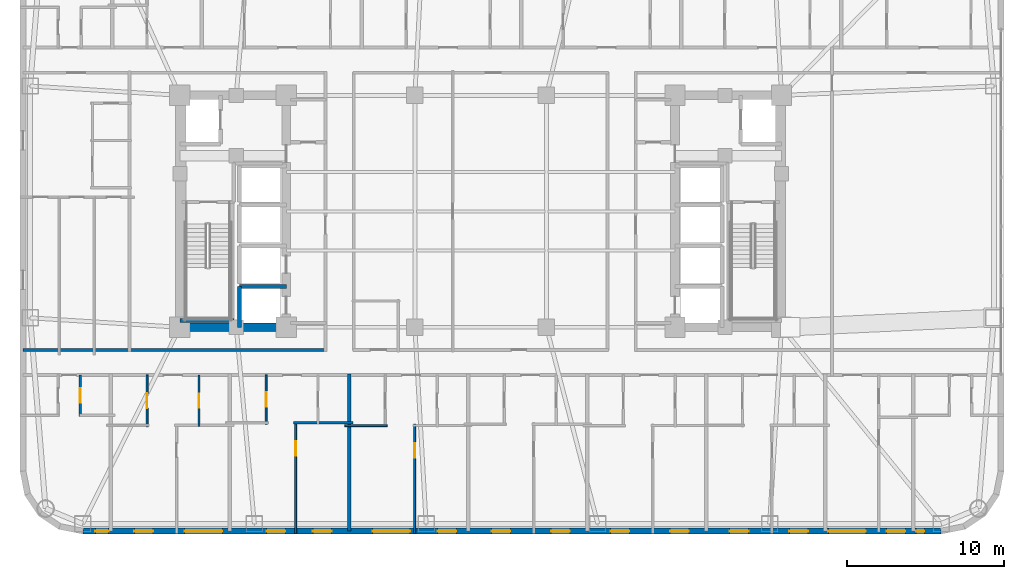
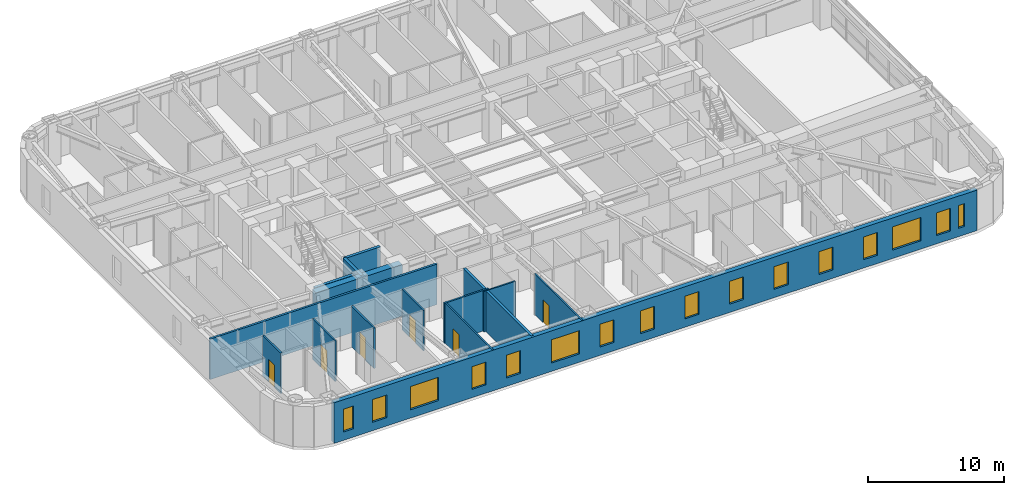
# One storey, part 7 of 16: 16 windows, 15 walls, 6 doors, 22 openings.
"""IFC4 building model written with IfcOpenShell, lengths in metres."""

from ifc_helpers import new_model, si_unit, direction, frame, frame_2d, origin, place, context, subcontext, project, spatial, rectangle, extrude, material, layer, layer_set, type_object, element, fill, save


model = new_model("IFC4")

# Units and contexts
model_context = context("Model", 3, precision=1e-05, world=origin(), true_north=direction((0.0, 1.0)))
body_context = subcontext(model_context, "Body", "Model", "MODEL_VIEW")
ifc_project = project(units=[si_unit("LENGTHUNIT", "METRE"), si_unit("AREAUNIT", "SQUARE_METRE"), si_unit("VOLUMEUNIT", "CUBIC_METRE"), si_unit("PLANEANGLEUNIT", "RADIAN"), si_unit("MASSUNIT", "GRAM", prefix="KILO")], contexts=[model_context])

# Site, building, storey
site_placement = place(None, origin())
site = spatial("IfcSite", under=ifc_project, at=site_placement, CompositionType="ELEMENT")
building_placement = place(site_placement, origin())
building = spatial("IfcBuilding", under=site, at=building_placement, Name="Voryun Gate Residences", CompositionType="ELEMENT")
storey_placement = place(building_placement, frame((0.0, 0.0, 93.60009765625)))
storey = spatial("IfcBuildingStorey", under=building, at=storey_placement, Name="L22", CompositionType="ELEMENT", Elevation=93.60009765625)

# Walls
ifc_material_1 = material(Name="Concrete C60/75", Category="concrete")
ifc_layer_1 = layer(ifc_material_1, 0.550048828125, Name="CW_CORE_550")
ifc_layer_set_1 = layer_set([ifc_layer_1], Name="Concrete C60/75")
wall_type_1 = type_object("IfcWallType", Name="CW_CORE_550", PredefinedType="SHEAR", material=ifc_layer_set_1)
wall_1_placement = place(storey_placement, frame((-19.47509765625, -7.39990234375, 0.0), z_axis=(0.0, 0.0, 1.0), x_axis=(1.0, 0.0, 0.0)))
element("IfcWall", 1, at=wall_1_placement, inside=storey, type_object=wall_type_1, Name="L22 Core shear wall CW-L22-WS", PredefinedType="SHEAR", context=body_context, shape_type="SweptSolid", body=[
    extrude(rectangle(XDim=7.35009765625, YDim=0.550048828125, at=frame_2d((3.675048828125, 0.0))), origin(), (0.0, 0.0, 1.0), 3.64990234375),
])
ifc_material_2 = material(Name="Gypsum acoustic fireboard")
ifc_layer_2 = layer(ifc_material_2, 0.179931640625, Name="W_CORR_RATED_180")
ifc_layer_set_2 = layer_set([ifc_layer_2], Name="Gypsum acoustic fireboard")
wall_type_2 = type_object("IfcWallType", Name="W_CORR_RATED_180", PredefinedType="PARTITIONING", material=ifc_layer_set_2)
wall_2_placement = place(storey_placement, frame((-29.2099609375, -8.840087890625, 0.0), z_axis=(0.0, 0.0, 1.0), x_axis=(1.0, 0.0, 0.0)))
element("IfcWall", 2, at=wall_2_placement, inside=storey, type_object=wall_type_2, Name="Partition wall WP-L22-CWING-WS", PredefinedType="PARTITIONING", context=body_context, shape_type="SweptSolid", body=[
    extrude(rectangle(XDim=19.330078125, YDim=0.179931640625, at=frame_2d((9.6650390625, 0.0))), origin(), (0.0, 0.0, 1.0), 3.64990234375),
])

# Wall, openings, windows
ifc_material_3 = material(Name="Granite masonry", Category="masonry")
ifc_layer_3 = layer(ifc_material_3, 0.3798828125, Name="W_EXT_GRANITE_380")
ifc_layer_set_3 = layer_set([ifc_layer_3], Name="Granite masonry")
wall_type_3 = type_object("IfcWallType", Name="W_EXT_GRANITE_380", PredefinedType="ELEMENTEDWALL", material=ifc_layer_set_3)
wall_3_placement = place(storey_placement, frame((29.38134765625, -20.409912109375, 0.0), z_axis=(0.0, 0.0, 1.0), x_axis=(-1.0, 0.0, 0.0)))
wall_3 = element("IfcWall", 3, at=wall_3_placement, inside=storey, type_object=wall_type_3, Name="Exterior wall WEXT-L22-01", PredefinedType="ELEMENTEDWALL", context=body_context, shape_type="SweptSolid", body=[
    extrude(rectangle(XDim=54.7626953125, YDim=0.3798828125, at=frame_2d((27.38134765625, 0.0))), origin(), (0.0, 0.0, 1.0), 3.64990234375),
])
opening_1_placement = place(wall_3_placement, frame((4.79541015625, 0.0, 0.75)))
opening_1 = element("IfcOpeningElement", 4, at=opening_1_placement, cuts=wall_3, Name="Opening WN2", PredefinedType="OPENING", context=body_context, shape_type="SweptSolid", body=[
    extrude(rectangle(XDim=2.39990234375, YDim=2.10009765625, at=frame_2d((1.199951171875, 1.050048828125))), frame((0.0, 0.199951171875, 0.0), z_axis=(0.0, -1.0, 0.0), x_axis=(1.0, 0.0, 0.0)), (0.0, 0.0, 1.0), 0.39990234375),
])
opening_2_placement = place(wall_3_placement, frame((33.876708984375, 0.0, 0.75)))
opening_2 = element("IfcOpeningElement", 5, at=opening_2_placement, cuts=wall_3, Name="Opening WN2", PredefinedType="OPENING", context=body_context, shape_type="SweptSolid", body=[
    extrude(rectangle(XDim=2.39990234375, YDim=2.10009765625, at=frame_2d((1.199951171875, 1.050048828125))), frame((0.0, 0.199951171875, 0.0), z_axis=(0.0, -1.0, 0.0), x_axis=(1.0, 0.0, 0.0)), (0.0, 0.0, 1.0), 0.39990234375),
])
opening_3_placement = place(wall_3_placement, frame((45.8671875, 0.0, 0.75)))
opening_3 = element("IfcOpeningElement", 6, at=opening_3_placement, cuts=wall_3, Name="Opening WN2", PredefinedType="OPENING", context=body_context, shape_type="SweptSolid", body=[
    extrude(rectangle(XDim=2.39990234375, YDim=2.10009765625, at=frame_2d((1.199951171875, 1.050048828125))), frame((0.0, 0.199951171875, 0.0), z_axis=(0.0, -1.0, 0.0), x_axis=(1.0, 0.0, 0.0)), (0.0, 0.0, 1.0), 0.39990234375),
])
opening_4_placement = place(wall_3_placement, frame((53.1220703125, 0.0, 0.75)))
opening_4 = element("IfcOpeningElement", 7, at=opening_4_placement, cuts=wall_3, Name="Opening WN9", PredefinedType="OPENING", context=body_context, shape_type="SweptSolid", body=[
    extrude(rectangle(XDim=0.85009765625, YDim=2.050048828125, at=frame_2d((0.425048828125, 1.02490234375))), frame((0.0, 0.199951171875, 0.0), z_axis=(0.0, -1.0, 0.0), x_axis=(1.0, 0.0, 0.0)), (0.0, 0.0, 1.0), 0.39990234375),
])
opening_5_placement = place(wall_3_placement, frame((50.286376953125, 0.0, 0.75)))
opening_5 = element("IfcOpeningElement", 8, at=opening_5_placement, cuts=wall_3, Name="Opening WN6", PredefinedType="OPENING", context=body_context, shape_type="SweptSolid", body=[
    extrude(rectangle(XDim=1.199951171875, YDim=2.050048828125, at=frame_2d((0.60009765625, 1.02490234375))), frame((0.0, 0.199951171875, 0.0), z_axis=(0.0, -1.0, 0.0), x_axis=(1.0, 0.0, 0.0)), (0.0, 0.0, 1.0), 0.39990234375),
])
opening_6_placement = place(wall_3_placement, frame((41.84619140625, 0.0, 0.75)))
opening_6 = element("IfcOpeningElement", 9, at=opening_6_placement, cuts=wall_3, Name="Opening WN6", PredefinedType="OPENING", context=body_context, shape_type="SweptSolid", body=[
    extrude(rectangle(XDim=1.199951171875, YDim=2.050048828125, at=frame_2d((0.60009765625, 1.02490234375))), frame((0.0, 0.199951171875, 0.0), z_axis=(0.0, -1.0, 0.0), x_axis=(1.0, 0.0, 0.0)), (0.0, 0.0, 1.0), 0.39990234375),
])
opening_7_placement = place(wall_3_placement, frame((38.88623046875, 0.0, 0.75)))
opening_7 = element("IfcOpeningElement", 10, at=opening_7_placement, cuts=wall_3, Name="Opening WN6", PredefinedType="OPENING", context=body_context, shape_type="SweptSolid", body=[
    extrude(rectangle(XDim=1.199951171875, YDim=2.050048828125, at=frame_2d((0.60009765625, 1.02490234375))), frame((0.0, 0.199951171875, 0.0), z_axis=(0.0, -1.0, 0.0), x_axis=(1.0, 0.0, 0.0)), (0.0, 0.0, 1.0), 0.39990234375),
])
opening_8_placement = place(wall_3_placement, frame((30.92626953125, 0.0, 0.75)))
opening_8 = element("IfcOpeningElement", 11, at=opening_8_placement, cuts=wall_3, Name="Opening WN6", PredefinedType="OPENING", context=body_context, shape_type="SweptSolid", body=[
    extrude(rectangle(XDim=1.199951171875, YDim=2.050048828125, at=frame_2d((0.60009765625, 1.02490234375))), frame((0.0, 0.199951171875, 0.0), z_axis=(0.0, -1.0, 0.0), x_axis=(1.0, 0.0, 0.0)), (0.0, 0.0, 1.0), 0.39990234375),
])
opening_9_placement = place(wall_3_placement, frame((27.486328125, 0.0, 0.75)))
opening_9 = element("IfcOpeningElement", 12, at=opening_9_placement, cuts=wall_3, Name="Opening WN6", PredefinedType="OPENING", context=body_context, shape_type="SweptSolid", body=[
    extrude(rectangle(XDim=1.199951171875, YDim=2.050048828125, at=frame_2d((0.60009765625, 1.02490234375))), frame((0.0, 0.199951171875, 0.0), z_axis=(0.0, -1.0, 0.0), x_axis=(1.0, 0.0, 0.0)), (0.0, 0.0, 1.0), 0.39990234375),
])
opening_10_placement = place(wall_3_placement, frame((23.686279296875, 0.0, 0.75)))
opening_10 = element("IfcOpeningElement", 13, at=opening_10_placement, cuts=wall_3, Name="Opening WN6", PredefinedType="OPENING", context=body_context, shape_type="SweptSolid", body=[
    extrude(rectangle(XDim=1.199951171875, YDim=2.050048828125, at=frame_2d((0.60009765625, 1.02490234375))), frame((0.0, 0.199951171875, 0.0), z_axis=(0.0, -1.0, 0.0), x_axis=(1.0, 0.0, 0.0)), (0.0, 0.0, 1.0), 0.39990234375),
])
opening_11_placement = place(wall_3_placement, frame((19.88623046875, 0.0, 0.75)))
opening_11 = element("IfcOpeningElement", 14, at=opening_11_placement, cuts=wall_3, Name="Opening WN6", PredefinedType="OPENING", context=body_context, shape_type="SweptSolid", body=[
    extrude(rectangle(XDim=1.199951171875, YDim=2.050048828125, at=frame_2d((0.60009765625, 1.02490234375))), frame((0.0, 0.199951171875, 0.0), z_axis=(0.0, -1.0, 0.0), x_axis=(1.0, 0.0, 0.0)), (0.0, 0.0, 1.0), 0.39990234375),
])
opening_12_placement = place(wall_3_placement, frame((16.086181640625, 0.0, 0.75)))
opening_12 = element("IfcOpeningElement", 15, at=opening_12_placement, cuts=wall_3, Name="Opening WN6", PredefinedType="OPENING", context=body_context, shape_type="SweptSolid", body=[
    extrude(rectangle(XDim=1.199951171875, YDim=2.050048828125, at=frame_2d((0.60009765625, 1.02490234375))), frame((0.0, 0.199951171875, 0.0), z_axis=(0.0, -1.0, 0.0), x_axis=(1.0, 0.0, 0.0)), (0.0, 0.0, 1.0), 0.39990234375),
])
opening_13_placement = place(wall_3_placement, frame((12.286376953125, 0.0, 0.75)))
opening_13 = element("IfcOpeningElement", 16, at=opening_13_placement, cuts=wall_3, Name="Opening WN6", PredefinedType="OPENING", context=body_context, shape_type="SweptSolid", body=[
    extrude(rectangle(XDim=1.199951171875, YDim=2.050048828125, at=frame_2d((0.60009765625, 1.02490234375))), frame((0.0, 0.199951171875, 0.0), z_axis=(0.0, -1.0, 0.0), x_axis=(1.0, 0.0, 0.0)), (0.0, 0.0, 1.0), 0.39990234375),
])
opening_14_placement = place(wall_3_placement, frame((8.486328125, 0.0, 0.75)))
opening_14 = element("IfcOpeningElement", 17, at=opening_14_placement, cuts=wall_3, Name="Opening WN6", PredefinedType="OPENING", context=body_context, shape_type="SweptSolid", body=[
    extrude(rectangle(XDim=1.199951171875, YDim=2.050048828125, at=frame_2d((0.60009765625, 1.02490234375))), frame((0.0, 0.199951171875, 0.0), z_axis=(0.0, -1.0, 0.0), x_axis=(1.0, 0.0, 0.0)), (0.0, 0.0, 1.0), 0.39990234375),
])
opening_15_placement = place(wall_3_placement, frame((2.27734375, 0.0, 0.75)))
opening_15 = element("IfcOpeningElement", 18, at=opening_15_placement, cuts=wall_3, Name="Opening WN6", PredefinedType="OPENING", context=body_context, shape_type="SweptSolid", body=[
    extrude(rectangle(XDim=1.199951171875, YDim=2.050048828125, at=frame_2d((0.60009765625, 1.02490234375))), frame((0.0, 0.199951171875, 0.0), z_axis=(0.0, -1.0, 0.0), x_axis=(1.0, 0.0, 0.0)), (0.0, 0.0, 1.0), 0.39990234375),
])
opening_16_placement = place(wall_3_placement, frame((1.071044921875, 0.0, 0.75)))
opening_16 = element("IfcOpeningElement", 19, at=opening_16_placement, cuts=wall_3, Name="Opening WN10", PredefinedType="OPENING", context=body_context, shape_type="SweptSolid", body=[
    extrude(rectangle(XDim=0.52001953125, YDim=2.050048828125, at=frame_2d((0.260009765625, 1.02490234375))), frame((0.0, 0.199951171875, 0.0), z_axis=(0.0, -1.0, 0.0), x_axis=(1.0, 0.0, 0.0)), (0.0, 0.0, 1.0), 0.39990234375),
])
ifc_material_4 = material(Name="Laminated low-E glass", Category="glass")
window_type_1 = type_object("IfcWindowType", Name="WN_PAGODA_LANCET_520", PartitioningType="SINGLE_PANEL", PredefinedType="WINDOW", material=ifc_material_4)
window_1_placement = place(opening_16_placement, origin())
window_1 = element("IfcWindow", 20, at=window_1_placement, inside=storey, type_object=window_type_1, Name="Window WN-L22-DWFIX-28", OverallHeight=2.050048828125, OverallWidth=0.52001953125, PartitioningType="SINGLE_PANEL", PredefinedType="WINDOW", context=body_context, shape_type="SweptSolid", body=[
    extrude(rectangle(XDim=0.52001953125, YDim=2.050048828125, at=frame_2d((0.260009765625, 1.02490234375))), frame((0.0, 0.030029296875, 0.0), z_axis=(0.0, -1.0, 0.0), x_axis=(1.0, 0.0, 0.0)), (0.0, 0.0, 1.0), 0.06005859375),
])
fill(opening_16, window_1)
ifc_material_5 = material(Name="Laminated low-E glass", Category="glass")
window_type_2 = type_object("IfcWindowType", Name="WN_POD_SLOT_1200", PartitioningType="SINGLE_PANEL", PredefinedType="WINDOW", material=ifc_material_5)
window_2_placement = place(opening_5_placement, origin())
window_2 = element("IfcWindow", 21, at=window_2_placement, inside=storey, type_object=window_type_2, Name="Window WN-L22-DWFIX-17", OverallHeight=2.050048828125, OverallWidth=1.199951171875, PartitioningType="SINGLE_PANEL", PredefinedType="WINDOW", context=body_context, shape_type="SweptSolid", body=[
    extrude(rectangle(XDim=1.199951171875, YDim=2.050048828125, at=frame_2d((0.60009765625, 1.02490234375))), frame((0.0, 0.030029296875, 0.0), z_axis=(0.0, -1.0, 0.0), x_axis=(1.0, 0.0, 0.0)), (0.0, 0.0, 1.0), 0.06005859375),
])
fill(opening_5, window_2)
window_3_placement = place(opening_6_placement, origin())
window_3 = element("IfcWindow", 22, at=window_3_placement, inside=storey, type_object=window_type_2, Name="Window WN-L22-DWFIX-18", OverallHeight=2.050048828125, OverallWidth=1.199951171875, PartitioningType="SINGLE_PANEL", PredefinedType="WINDOW", context=body_context, shape_type="SweptSolid", body=[
    extrude(rectangle(XDim=1.199951171875, YDim=2.050048828125, at=frame_2d((0.60009765625, 1.02490234375))), frame((0.0, 0.030029296875, 0.0), z_axis=(0.0, -1.0, 0.0), x_axis=(1.0, 0.0, 0.0)), (0.0, 0.0, 1.0), 0.06005859375),
])
fill(opening_6, window_3)
window_4_placement = place(opening_7_placement, origin())
window_4 = element("IfcWindow", 23, at=window_4_placement, inside=storey, type_object=window_type_2, Name="Window WN-L22-DWFIX-19", OverallHeight=2.050048828125, OverallWidth=1.199951171875, PartitioningType="SINGLE_PANEL", PredefinedType="WINDOW", context=body_context, shape_type="SweptSolid", body=[
    extrude(rectangle(XDim=1.199951171875, YDim=2.050048828125, at=frame_2d((0.60009765625, 1.02490234375))), frame((0.0, 0.030029296875, 0.0), z_axis=(0.0, -1.0, 0.0), x_axis=(1.0, 0.0, 0.0)), (0.0, 0.0, 1.0), 0.06005859375),
])
fill(opening_7, window_4)
window_5_placement = place(opening_8_placement, origin())
window_5 = element("IfcWindow", 24, at=window_5_placement, inside=storey, type_object=window_type_2, Name="Window WN-L22-DWFIX-20", OverallHeight=2.050048828125, OverallWidth=1.199951171875, PartitioningType="SINGLE_PANEL", PredefinedType="WINDOW", context=body_context, shape_type="SweptSolid", body=[
    extrude(rectangle(XDim=1.199951171875, YDim=2.050048828125, at=frame_2d((0.60009765625, 1.02490234375))), frame((0.0, 0.030029296875, 0.0), z_axis=(0.0, -1.0, 0.0), x_axis=(1.0, 0.0, 0.0)), (0.0, 0.0, 1.0), 0.06005859375),
])
fill(opening_8, window_5)
window_6_placement = place(opening_9_placement, origin())
window_6 = element("IfcWindow", 25, at=window_6_placement, inside=storey, type_object=window_type_2, Name="Window WN-L22-DWFIX-21", OverallHeight=2.050048828125, OverallWidth=1.199951171875, PartitioningType="SINGLE_PANEL", PredefinedType="WINDOW", context=body_context, shape_type="SweptSolid", body=[
    extrude(rectangle(XDim=1.199951171875, YDim=2.050048828125, at=frame_2d((0.60009765625, 1.02490234375))), frame((0.0, 0.030029296875, 0.0), z_axis=(0.0, -1.0, 0.0), x_axis=(1.0, 0.0, 0.0)), (0.0, 0.0, 1.0), 0.06005859375),
])
fill(opening_9, window_6)
window_7_placement = place(opening_10_placement, origin())
window_7 = element("IfcWindow", 26, at=window_7_placement, inside=storey, type_object=window_type_2, Name="Window WN-L22-DWFIX-22", OverallHeight=2.050048828125, OverallWidth=1.199951171875, PartitioningType="SINGLE_PANEL", PredefinedType="WINDOW", context=body_context, shape_type="SweptSolid", body=[
    extrude(rectangle(XDim=1.199951171875, YDim=2.050048828125, at=frame_2d((0.60009765625, 1.02490234375))), frame((0.0, 0.030029296875, 0.0), z_axis=(0.0, -1.0, 0.0), x_axis=(1.0, 0.0, 0.0)), (0.0, 0.0, 1.0), 0.06005859375),
])
fill(opening_10, window_7)
window_8_placement = place(opening_11_placement, origin())
window_8 = element("IfcWindow", 27, at=window_8_placement, inside=storey, type_object=window_type_2, Name="Window WN-L22-DWFIX-23", OverallHeight=2.050048828125, OverallWidth=1.199951171875, PartitioningType="SINGLE_PANEL", PredefinedType="WINDOW", context=body_context, shape_type="SweptSolid", body=[
    extrude(rectangle(XDim=1.199951171875, YDim=2.050048828125, at=frame_2d((0.60009765625, 1.02490234375))), frame((0.0, 0.030029296875, 0.0), z_axis=(0.0, -1.0, 0.0), x_axis=(1.0, 0.0, 0.0)), (0.0, 0.0, 1.0), 0.06005859375),
])
fill(opening_11, window_8)
window_9_placement = place(opening_12_placement, origin())
window_9 = element("IfcWindow", 28, at=window_9_placement, inside=storey, type_object=window_type_2, Name="Window WN-L22-DWFIX-24", OverallHeight=2.050048828125, OverallWidth=1.199951171875, PartitioningType="SINGLE_PANEL", PredefinedType="WINDOW", context=body_context, shape_type="SweptSolid", body=[
    extrude(rectangle(XDim=1.199951171875, YDim=2.050048828125, at=frame_2d((0.60009765625, 1.02490234375))), frame((0.0, 0.030029296875, 0.0), z_axis=(0.0, -1.0, 0.0), x_axis=(1.0, 0.0, 0.0)), (0.0, 0.0, 1.0), 0.06005859375),
])
fill(opening_12, window_9)
window_10_placement = place(opening_13_placement, origin())
window_10 = element("IfcWindow", 29, at=window_10_placement, inside=storey, type_object=window_type_2, Name="Window WN-L22-DWFIX-25", OverallHeight=2.050048828125, OverallWidth=1.199951171875, PartitioningType="SINGLE_PANEL", PredefinedType="WINDOW", context=body_context, shape_type="SweptSolid", body=[
    extrude(rectangle(XDim=1.199951171875, YDim=2.050048828125, at=frame_2d((0.60009765625, 1.02490234375))), frame((0.0, 0.030029296875, 0.0), z_axis=(0.0, -1.0, 0.0), x_axis=(1.0, 0.0, 0.0)), (0.0, 0.0, 1.0), 0.06005859375),
])
fill(opening_13, window_10)
window_11_placement = place(opening_14_placement, origin())
window_11 = element("IfcWindow", 30, at=window_11_placement, inside=storey, type_object=window_type_2, Name="Window WN-L22-DWFIX-26", OverallHeight=2.050048828125, OverallWidth=1.199951171875, PartitioningType="SINGLE_PANEL", PredefinedType="WINDOW", context=body_context, shape_type="SweptSolid", body=[
    extrude(rectangle(XDim=1.199951171875, YDim=2.050048828125, at=frame_2d((0.60009765625, 1.02490234375))), frame((0.0, 0.030029296875, 0.0), z_axis=(0.0, -1.0, 0.0), x_axis=(1.0, 0.0, 0.0)), (0.0, 0.0, 1.0), 0.06005859375),
])
fill(opening_14, window_11)
window_12_placement = place(opening_15_placement, origin())
window_12 = element("IfcWindow", 31, at=window_12_placement, inside=storey, type_object=window_type_2, Name="Window WN-L22-DWFIX-27", OverallHeight=2.050048828125, OverallWidth=1.199951171875, PartitioningType="SINGLE_PANEL", PredefinedType="WINDOW", context=body_context, shape_type="SweptSolid", body=[
    extrude(rectangle(XDim=1.199951171875, YDim=2.050048828125, at=frame_2d((0.60009765625, 1.02490234375))), frame((0.0, 0.030029296875, 0.0), z_axis=(0.0, -1.0, 0.0), x_axis=(1.0, 0.0, 0.0)), (0.0, 0.0, 1.0), 0.06005859375),
])
fill(opening_15, window_12)
ifc_material_6 = material(Name="Laminated low-E glass", Category="glass")
window_type_3 = type_object("IfcWindowType", Name="WN_RES_CASEMENT_850", PartitioningType="SINGLE_PANEL", PredefinedType="WINDOW", material=ifc_material_6)
window_13_placement = place(opening_4_placement, origin())
window_13 = element("IfcWindow", 32, at=window_13_placement, inside=storey, type_object=window_type_3, Name="Window WN-L22-DWFIX-16", OverallHeight=2.050048828125, OverallWidth=0.85009765625, PartitioningType="SINGLE_PANEL", PredefinedType="WINDOW", context=body_context, shape_type="SweptSolid", body=[
    extrude(rectangle(XDim=0.85009765625, YDim=2.050048828125, at=frame_2d((0.425048828125, 1.02490234375))), frame((0.0, 0.030029296875, 0.0), z_axis=(0.0, -1.0, 0.0), x_axis=(1.0, 0.0, 0.0)), (0.0, 0.0, 1.0), 0.06005859375),
])
fill(opening_4, window_13)
ifc_material_7 = material(Name="Laminated low-E glass", Category="glass")
window_type_4 = type_object("IfcWindowType", Name="WN_RES_WIDE_2400", PartitioningType="SINGLE_PANEL", PredefinedType="WINDOW", material=ifc_material_7)
window_14_placement = place(opening_1_placement, origin())
window_14 = element("IfcWindow", 33, at=window_14_placement, inside=storey, type_object=window_type_4, Name="Window WN-WEXT-L22-01-01", OverallHeight=2.10009765625, OverallWidth=2.39990234375, PartitioningType="SINGLE_PANEL", PredefinedType="WINDOW", context=body_context, shape_type="SweptSolid", body=[
    extrude(rectangle(XDim=2.39990234375, YDim=2.10009765625, at=frame_2d((1.199951171875, 1.050048828125))), frame((0.0, 0.030029296875, 0.0), z_axis=(0.0, -1.0, 0.0), x_axis=(1.0, 0.0, 0.0)), (0.0, 0.0, 1.0), 0.06005859375),
])
fill(opening_1, window_14)
window_15_placement = place(opening_2_placement, origin())
window_15 = element("IfcWindow", 34, at=window_15_placement, inside=storey, type_object=window_type_4, Name="Window WN-WEXT-L22-01-03", OverallHeight=2.10009765625, OverallWidth=2.39990234375, PartitioningType="SINGLE_PANEL", PredefinedType="WINDOW", context=body_context, shape_type="SweptSolid", body=[
    extrude(rectangle(XDim=2.39990234375, YDim=2.10009765625, at=frame_2d((1.199951171875, 1.050048828125))), frame((0.0, 0.030029296875, 0.0), z_axis=(0.0, -1.0, 0.0), x_axis=(1.0, 0.0, 0.0)), (0.0, 0.0, 1.0), 0.06005859375),
])
fill(opening_2, window_15)
window_16_placement = place(opening_3_placement, origin())
window_16 = element("IfcWindow", 35, at=window_16_placement, inside=storey, type_object=window_type_4, Name="Window WN-WEXT-L22-01-04", OverallHeight=2.10009765625, OverallWidth=2.39990234375, PartitioningType="SINGLE_PANEL", PredefinedType="WINDOW", context=body_context, shape_type="SweptSolid", body=[
    extrude(rectangle(XDim=2.39990234375, YDim=2.10009765625, at=frame_2d((1.199951171875, 1.050048828125))), frame((0.0, 0.030029296875, 0.0), z_axis=(0.0, -1.0, 0.0), x_axis=(1.0, 0.0, 0.0)), (0.0, 0.0, 1.0), 0.06005859375),
])
fill(opening_3, window_16)

# Walls
ifc_material_8 = material(Name="Concrete C40/50", Category="concrete")
ifc_layer_4 = layer(ifc_material_8, 0.219970703125, Name="W_PARTY_ACOUSTIC_220")
ifc_layer_set_4 = layer_set([ifc_layer_4], Name="Concrete C40/50")
wall_type_4 = type_object("IfcWallType", Name="W_PARTY_ACOUSTIC_220", PredefinedType="PARTITIONING", material=ifc_layer_set_4)
wall_4_placement = place(storey_placement, frame((-8.39990234375, -20.409912109375, 0.0), z_axis=(0.0, 0.0, 1.0), x_axis=(0.0, 1.0, 0.0)))
element("IfcWall", 36, at=wall_4_placement, inside=storey, type_object=wall_type_4, Name="Partition wall WP-L22-SPTY-3", PredefinedType="PARTITIONING", context=body_context, shape_type="SweptSolid", body=[
    extrude(rectangle(XDim=10.039794921875, YDim=0.219970703125, at=frame_2d((5.02001953125, 0.0))), origin(), (0.0, 0.0, 1.0), 3.64990234375),
])
ifc_material_9 = material(Name="Concrete C50/60", Category="concrete")
ifc_layer_5 = layer(ifc_material_9, 0.25, Name="W_SHAFT_RC250")
ifc_layer_set_5 = layer_set([ifc_layer_5], Name="Concrete C50/60")
wall_type_5 = type_object("IfcWallType", Name="W_SHAFT_RC250", PredefinedType="SOLIDWALL", material=ifc_layer_set_5)
wall_5_placement = place(storey_placement, frame((-19.199951171875, -6.965087890625, 0.0), z_axis=(0.0, 0.0, 1.0), x_axis=(1.0, 0.0, 0.0)))
element("IfcWall", 37, at=wall_5_placement, inside=storey, type_object=wall_type_5, Name="L22 Stair shaft structural wall W-STS", PredefinedType="SOLIDWALL", context=body_context, shape_type="SweptSolid", body=[
    extrude(rectangle(XDim=3.4599609375, YDim=0.25, at=frame_2d((1.72998046875, 0.0))), origin(), (0.0, 0.0, 1.0), 3.64990234375),
])
wall_6_placement = place(storey_placement, frame((-12.39990234375, -4.800048828125, 0.0), z_axis=(0.0, 0.0, 1.0), x_axis=(-1.0, 0.0, 0.0)))
element("IfcWall", 38, at=wall_6_placement, inside=storey, type_object=wall_type_5, Name="Lift shaft wall WSH-L22-EL-P1-N", PredefinedType="SOLIDWALL", context=body_context, shape_type="SweptSolid", body=[
    extrude(rectangle(XDim=3.0, YDim=0.25, at=frame_2d((1.5, 0.0))), origin(), (0.0, 0.0, 1.0), 3.64990234375),
])
wall_7_placement = place(storey_placement, frame((-15.39990234375, -4.800048828125, 0.0), z_axis=(0.0, 0.0, 1.0), x_axis=(0.0, -1.0, 0.0)))
element("IfcWall", 39, at=wall_7_placement, inside=storey, type_object=wall_type_5, Name="Lift shaft wall WSH-L22-EL-P1-W", PredefinedType="SOLIDWALL", context=body_context, shape_type="SweptSolid", body=[
    extrude(rectangle(XDim=2.599853515625, YDim=0.25, at=frame_2d((1.2998046875, 0.0))), origin(), (0.0, 0.0, 1.0), 3.64990234375),
])

# Wall, opening, door
ifc_material_10 = material(Name="Gypsum acoustic partition")
ifc_layer_6 = layer(ifc_material_10, 0.125, Name="W_UNIT_PART_125")
ifc_layer_set_6 = layer_set([ifc_layer_6], Name="Gypsum acoustic partition")
wall_type_6 = type_object("IfcWallType", Name="W_UNIT_PART_125", PredefinedType="PARTITIONING", material=ifc_layer_set_6)
wall_8_placement = place(storey_placement, frame((-21.2900390625, -13.73291015625, 0.0), z_axis=(0.0, 0.0, 1.0), x_axis=(0.0, 1.0, 0.0)))
wall_8 = element("IfcWall", 40, at=wall_8_placement, inside=storey, type_object=wall_type_6, Name="Partition wall WP-L22-S2-IVK", PredefinedType="PARTITIONING", context=body_context, shape_type="SweptSolid", body=[
    extrude(rectangle(XDim=3.302978515625, YDim=0.125, at=frame_2d((1.6513671875, 0.0))), origin(), (0.0, 0.0, 1.0), 3.64990234375),
])
opening_17_placement = place(wall_8_placement, frame((1.176513671875, 0.0, 0.0)))
opening_17 = element("IfcOpeningElement", 41, at=opening_17_placement, cuts=wall_8, Name="Opening D-INT-1", PredefinedType="OPENING", context=body_context, shape_type="SweptSolid", body=[
    extrude(rectangle(XDim=0.949951171875, YDim=2.050048828125, at=frame_2d((0.47509765625, 1.02490234375))), frame((0.0, 0.072509765625, 0.0), z_axis=(0.0, -1.0, 0.0), x_axis=(1.0, 0.0, 0.0)), (0.0, 0.0, 1.0), 0.14501953125),
])
ifc_material_11 = material(Name="Architectural oak veneer")
door_type_1 = type_object("IfcDoorType", Name="DR_INT_ROOM_950", OperationType="NOTDEFINED", PredefinedType="DOOR", material=ifc_material_11)
door_1_placement = place(opening_17_placement, origin())
door_1 = element("IfcDoor", 42, at=door_1_placement, inside=storey, type_object=door_type_1, Name="Door DR-L22-S2-DK", OperationType="SINGLE_SWING_LEFT", OverallHeight=2.050048828125, OverallWidth=0.949951171875, PredefinedType="DOOR", context=body_context, shape_type="SweptSolid", body=[
    extrude(rectangle(XDim=0.949951171875, YDim=2.050048828125, at=frame_2d((0.47509765625, 1.02490234375))), frame((0.0, 0.02490234375, 0.0), z_axis=(0.0, -1.0, 0.0), x_axis=(1.0, 0.0, 0.0)), (0.0, 0.0, 1.0), 0.050048828125),
])
fill(opening_17, door_1)

wall_9_placement = place(storey_placement, frame((-11.81005859375, -20.56005859375, 0.0), z_axis=(0.0, 0.0, 1.0), x_axis=(0.0, 1.0, 0.0)))
wall_9 = element("IfcWall", 43, at=wall_9_placement, inside=storey, type_object=wall_type_6, Name="Partition wall WP-L22-S3-OVR", PredefinedType="PARTITIONING", context=body_context, shape_type="SweptSolid", body=[
    extrude(rectangle(XDim=7.135986328125, YDim=0.125, at=frame_2d((3.56787109375, 0.0))), origin(), (0.0, 0.0, 1.0), 3.64990234375),
])
opening_18_placement = place(wall_9_placement, frame((4.973388671875, 0.0, 0.0)))
opening_18 = element("IfcOpeningElement", 44, at=opening_18_placement, cuts=wall_9, Name="Opening D-INT-2", PredefinedType="OPENING", context=body_context, shape_type="SweptSolid", body=[
    extrude(rectangle(XDim=0.89990234375, YDim=2.050048828125, at=frame_2d((0.449951171875, 1.02490234375))), frame((0.0, 0.072509765625, 0.0), z_axis=(0.0, -1.0, 0.0), x_axis=(1.0, 0.0, 0.0)), (0.0, 0.0, 1.0), 0.14501953125),
])
ifc_material_12 = material(Name="Architectural oak veneer")
door_type_2 = type_object("IfcDoorType", Name="DR_INT_BATH_900", OperationType="NOTDEFINED", PredefinedType="DOOR", material=ifc_material_12)
door_2_placement = place(opening_18_placement, origin())
door_2 = element("IfcDoor", 45, at=door_2_placement, inside=storey, type_object=door_type_2, Name="Door DR-L22-S3-DMB", OperationType="SINGLE_SWING_RIGHT", OverallHeight=2.050048828125, OverallWidth=0.89990234375, PredefinedType="DOOR", context=body_context, shape_type="SweptSolid", body=[
    extrude(rectangle(XDim=0.89990234375, YDim=2.050048828125, at=frame_2d((0.449951171875, 1.02490234375))), frame((0.0, 0.02490234375, 0.0), z_axis=(0.0, -1.0, 0.0), x_axis=(1.0, 0.0, 0.0)), (0.0, 0.0, 1.0), 0.050048828125),
])
fill(opening_18, door_2)

wall_10_placement = place(storey_placement, frame((-13.68994140625, -13.583984375, 0.0), z_axis=(0.0, 0.0, 1.0), x_axis=(0.0, 1.0, 0.0)))
wall_10 = element("IfcWall", 46, at=wall_10_placement, inside=storey, type_object=wall_type_6, Name="Partition wall WP-L22-S3-IVK", PredefinedType="PARTITIONING", context=body_context, shape_type="SweptSolid", body=[
    extrude(rectangle(XDim=3.154052734375, YDim=0.125, at=frame_2d((1.5771484375, 0.0))), origin(), (0.0, 0.0, 1.0), 3.64990234375),
])
opening_19_placement = place(wall_10_placement, frame((1.10205078125, 0.0, 0.0)))
opening_19 = element("IfcOpeningElement", 47, at=opening_19_placement, cuts=wall_10, Name="Opening D-INT-1", PredefinedType="OPENING", context=body_context, shape_type="SweptSolid", body=[
    extrude(rectangle(XDim=0.949951171875, YDim=2.050048828125, at=frame_2d((0.47509765625, 1.02490234375))), frame((0.0, 0.072509765625, 0.0), z_axis=(0.0, -1.0, 0.0), x_axis=(1.0, 0.0, 0.0)), (0.0, 0.0, 1.0), 0.14501953125),
])
door_3_placement = place(opening_19_placement, origin())
door_3 = element("IfcDoor", 48, at=door_3_placement, inside=storey, type_object=door_type_1, Name="Door DR-L22-S3-DK", OperationType="SINGLE_SWING_LEFT", OverallHeight=2.050048828125, OverallWidth=0.949951171875, PredefinedType="DOOR", context=body_context, shape_type="SweptSolid", body=[
    extrude(rectangle(XDim=0.949951171875, YDim=2.050048828125, at=frame_2d((0.47509765625, 1.02490234375))), frame((0.0, 0.02490234375, 0.0), z_axis=(0.0, -1.0, 0.0), x_axis=(1.0, 0.0, 0.0)), (0.0, 0.0, 1.0), 0.050048828125),
])
fill(opening_19, door_3)

wall_11_placement = place(storey_placement, frame((-4.2099609375, -20.56005859375, 0.0), z_axis=(0.0, 0.0, 1.0), x_axis=(0.0, 1.0, 0.0)))
wall_11 = element("IfcWall", 49, at=wall_11_placement, inside=storey, type_object=wall_type_6, Name="Partition wall WP-L22-S4-OVR", PredefinedType="PARTITIONING", context=body_context, shape_type="SweptSolid", body=[
    extrude(rectangle(XDim=6.969970703125, YDim=0.125, at=frame_2d((3.48486328125, 0.0))), origin(), (0.0, 0.0, 1.0), 3.64990234375),
])
opening_20_placement = place(wall_11_placement, frame((4.84716796875, 0.0, 0.0)))
opening_20 = element("IfcOpeningElement", 50, at=opening_20_placement, cuts=wall_11, Name="Opening D-INT-2", PredefinedType="OPENING", context=body_context, shape_type="SweptSolid", body=[
    extrude(rectangle(XDim=0.89990234375, YDim=2.050048828125, at=frame_2d((0.449951171875, 1.02490234375))), frame((0.0, 0.072509765625, 0.0), z_axis=(0.0, -1.0, 0.0), x_axis=(1.0, 0.0, 0.0)), (0.0, 0.0, 1.0), 0.14501953125),
])
door_4_placement = place(opening_20_placement, origin())
door_4 = element("IfcDoor", 51, at=door_4_placement, inside=storey, type_object=door_type_2, Name="Door DR-L22-S4-DMB", OperationType="SINGLE_SWING_RIGHT", OverallHeight=2.050048828125, OverallWidth=0.89990234375, PredefinedType="DOOR", context=body_context, shape_type="SweptSolid", body=[
    extrude(rectangle(XDim=0.89990234375, YDim=2.050048828125, at=frame_2d((0.449951171875, 1.02490234375))), frame((0.0, 0.02490234375, 0.0), z_axis=(0.0, -1.0, 0.0), x_axis=(1.0, 0.0, 0.0)), (0.0, 0.0, 1.0), 0.050048828125),
])
fill(opening_20, door_4)

# Wall
wall_12_placement = place(storey_placement, frame((-8.659912109375, -13.669921875, 0.0), z_axis=(0.0, 0.0, 1.0), x_axis=(1.0, 0.0, 0.0)))
element("IfcWall", 52, at=wall_12_placement, inside=storey, type_object=wall_type_6, Name="Partition wall WP-L22-S4-HZK", PredefinedType="PARTITIONING", context=body_context, shape_type="SweptSolid", body=[
    extrude(rectangle(XDim=2.68994140625, YDim=0.125, at=frame_2d((1.344970703125, 0.0))), origin(), (0.0, 0.0, 1.0), 3.64990234375),
])

# Wall, opening, door
ifc_material_13 = material(Name="Gypsum moisture-resistant partition")
ifc_layer_7 = layer(ifc_material_13, 0.14990234375, Name="W_WET_PLUMB_150")
ifc_layer_set_7 = layer_set([ifc_layer_7], Name="Gypsum moisture-resistant partition")
wall_type_7 = type_object("IfcWallType", Name="W_WET_PLUMB_150", PredefinedType="PLUMBINGWALL", material=ifc_layer_set_7)
wall_13_placement = place(storey_placement, frame((-25.550048828125, -13.080078125, 0.0), z_axis=(0.0, 0.0, 1.0), x_axis=(0.0, 1.0, 0.0)))
wall_13 = element("IfcWall", 53, at=wall_13_placement, inside=storey, type_object=wall_type_7, Name="Partition wall WP-L22-S1-CVB", PredefinedType="PLUMBINGWALL", context=body_context, shape_type="SweptSolid", body=[
    extrude(rectangle(XDim=2.650146484375, YDim=0.14990234375, at=frame_2d((1.3251953125, 0.0))), origin(), (0.0, 0.0, 1.0), 3.64990234375),
])
opening_21_placement = place(wall_13_placement, frame((0.875, 0.0, 0.0)))
opening_21 = element("IfcOpeningElement", 54, at=opening_21_placement, cuts=wall_13, Name="Opening D-INT-2", PredefinedType="OPENING", context=body_context, shape_type="SweptSolid", body=[
    extrude(rectangle(XDim=0.89990234375, YDim=2.050048828125, at=frame_2d((0.449951171875, 1.02490234375))), frame((0.0, 0.0849609375, 0.0), z_axis=(0.0, -1.0, 0.0), x_axis=(1.0, 0.0, 0.0)), (0.0, 0.0, 1.0), 0.169921875),
])
door_5_placement = place(opening_21_placement, origin())
door_5 = element("IfcDoor", 55, at=door_5_placement, inside=storey, type_object=door_type_2, Name="Door DR-L22-S1-DB", OperationType="SINGLE_SWING_RIGHT", OverallHeight=2.050048828125, OverallWidth=0.89990234375, PredefinedType="DOOR", context=body_context, shape_type="SweptSolid", body=[
    extrude(rectangle(XDim=0.89990234375, YDim=2.050048828125, at=frame_2d((0.449951171875, 1.02490234375))), frame((0.0, 0.02490234375, 0.0), z_axis=(0.0, -1.0, 0.0), x_axis=(1.0, 0.0, 0.0)), (0.0, 0.0, 1.0), 0.050048828125),
])
fill(opening_21, door_5)

wall_14_placement = place(storey_placement, frame((-17.97998046875, -13.73291015625, 0.0), z_axis=(0.0, 0.0, 1.0), x_axis=(0.0, 1.0, 0.0)))
wall_14 = element("IfcWall", 56, at=wall_14_placement, inside=storey, type_object=wall_type_7, Name="Partition wall WP-L22-S2-IVB", PredefinedType="PLUMBINGWALL", context=body_context, shape_type="SweptSolid", body=[
    extrude(rectangle(XDim=3.302978515625, YDim=0.14990234375, at=frame_2d((1.6513671875, 0.0))), origin(), (0.0, 0.0, 1.0), 3.64990234375),
])
opening_22_placement = place(wall_14_placement, frame((1.201416015625, 0.0, 0.0)))
opening_22 = element("IfcOpeningElement", 57, at=opening_22_placement, cuts=wall_14, Name="Opening D-INT-2", PredefinedType="OPENING", context=body_context, shape_type="SweptSolid", body=[
    extrude(rectangle(XDim=0.89990234375, YDim=2.050048828125, at=frame_2d((0.449951171875, 1.02490234375))), frame((0.0, 0.0849609375, 0.0), z_axis=(0.0, -1.0, 0.0), x_axis=(1.0, 0.0, 0.0)), (0.0, 0.0, 1.0), 0.169921875),
])
door_6_placement = place(opening_22_placement, origin())
door_6 = element("IfcDoor", 58, at=door_6_placement, inside=storey, type_object=door_type_2, Name="Door DR-L22-S2-DB", OperationType="SINGLE_SWING_RIGHT", OverallHeight=2.050048828125, OverallWidth=0.89990234375, PredefinedType="DOOR", context=body_context, shape_type="SweptSolid", body=[
    extrude(rectangle(XDim=0.89990234375, YDim=2.050048828125, at=frame_2d((0.449951171875, 1.02490234375))), frame((0.0, 0.02490234375, 0.0), z_axis=(0.0, -1.0, 0.0), x_axis=(1.0, 0.0, 0.0)), (0.0, 0.0, 1.0), 0.050048828125),
])
fill(opening_22, door_6)

# Wall
wall_15_placement = place(storey_placement, frame((-11.929931640625, -13.50390625, 0.0), z_axis=(0.0, 0.0, 1.0), x_axis=(1.0, 0.0, 0.0)))
element("IfcWall", 59, at=wall_15_placement, inside=storey, type_object=wall_type_7, Name="Partition wall WP-L22-S3-HZB", PredefinedType="PLUMBINGWALL", context=body_context, shape_type="SweptSolid", body=[
    extrude(rectangle(XDim=3.7900390625, YDim=0.14990234375, at=frame_2d((1.89501953125, 0.0))), origin(), (0.0, 0.0, 1.0), 3.64990234375),
])

save(model, "model.ifc")
